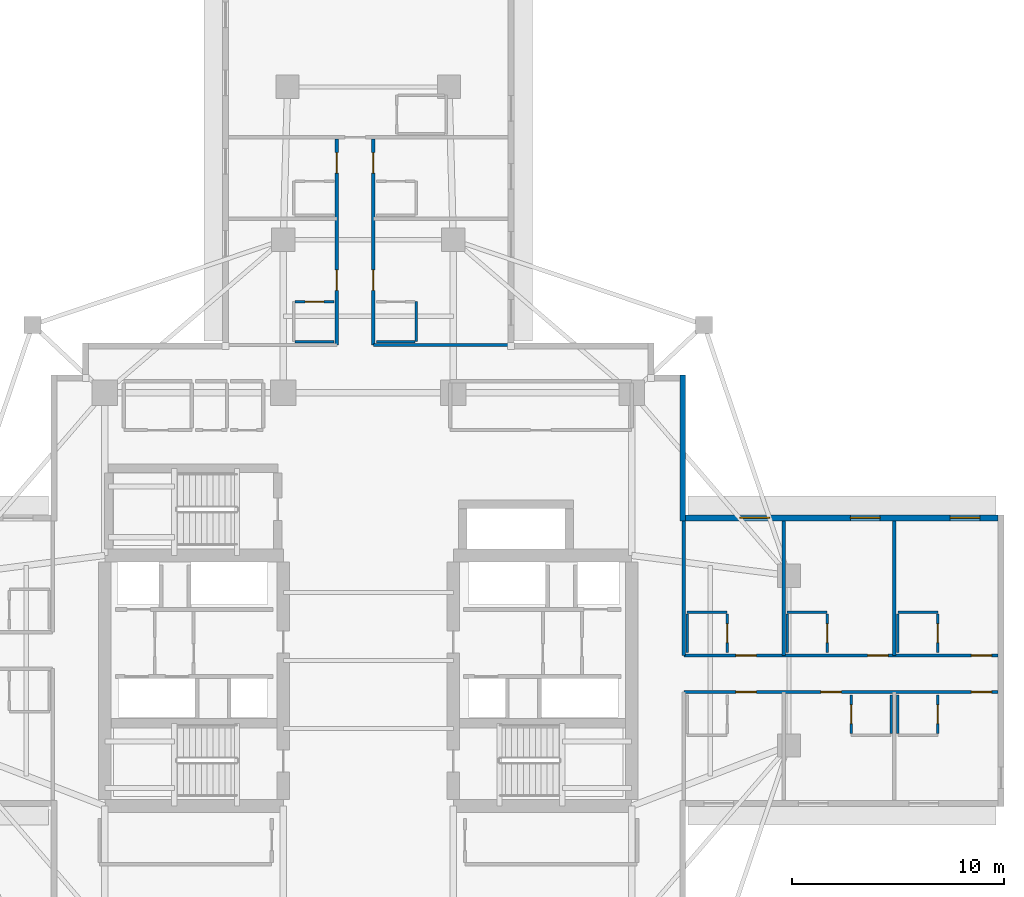
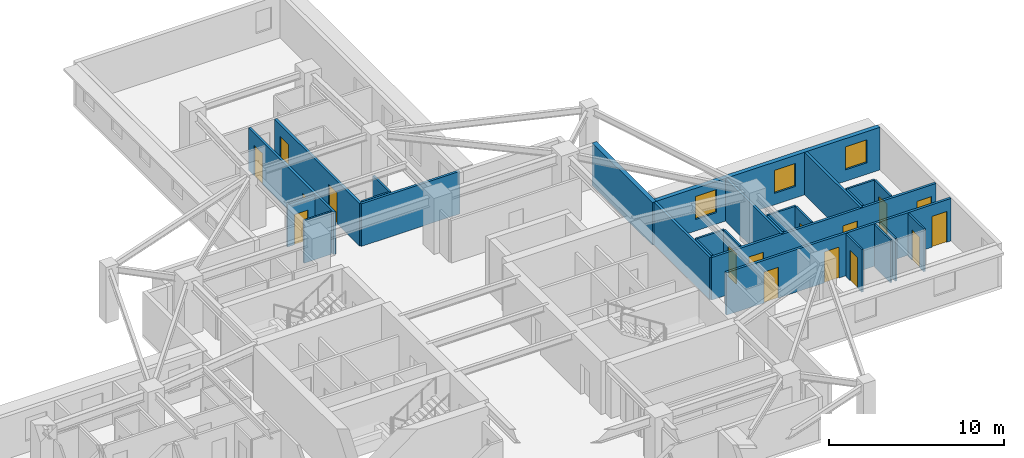
# One storey, part 7 of 13: 27 walls, 16 doors, 3 windows, 19 openings.
"""IFC4 building model written with IfcOpenShell, lengths in metres."""

from ifc_helpers import new_model, si_unit, direction, frame, frame_2d, origin, place, context, subcontext, project, spatial, rectangle, extrude, material, layer, layer_set, type_object, element, fill, save


model = new_model("IFC4")

# Units and contexts
model_context = context("Model", 3, precision=1e-05, world=origin(), true_north=direction((0.0, 1.0)))
body_context = subcontext(model_context, "Body", "Model", "MODEL_VIEW")
ifc_project = project(units=[si_unit("LENGTHUNIT", "METRE"), si_unit("AREAUNIT", "SQUARE_METRE"), si_unit("VOLUMEUNIT", "CUBIC_METRE"), si_unit("PLANEANGLEUNIT", "RADIAN"), si_unit("MASSUNIT", "GRAM", prefix="KILO")], contexts=[model_context])

# Site, building, storey
site_placement = place(None, origin())
site = spatial("IfcSite", under=ifc_project, at=site_placement, CompositionType="ELEMENT")
building_placement = place(site_placement, origin())
building = spatial("IfcBuilding", under=site, at=building_placement, Name="Qingluan Cross Belvedere", CompositionType="ELEMENT")
storey_placement = place(building_placement, frame((0.0, 0.0, 104.699951171875)))
storey = spatial("IfcBuildingStorey", under=building, at=storey_placement, Name="L26", CompositionType="ELEMENT", Elevation=104.699951171875)

# Wall, openings, doors
ifc_material_1 = material(Name="Gypsum plasterboard on steel stud acoustic partition", Category="steel")
ifc_layer_1 = layer(ifc_material_1, 0.159912109375, Name="CorridorPartition_160")
ifc_layer_set_1 = layer_set([ifc_layer_1], Name="Gypsum plasterboard on steel stud acoustic partition")
wall_type_1 = type_object("IfcWallType", Name="CorridorPartition_160", PredefinedType="PARTITIONING", material=ifc_layer_set_1)
wall_1_placement = place(storey_placement, frame((14.85009765625, 0.239990234375, 0.0), z_axis=(0.0, 0.0, 1.0), x_axis=(1.0, 0.0, 0.0)))
wall_1 = element("IfcWall", 1, at=wall_1_placement, inside=storey, type_object=wall_type_1, Name="Partition L26:E:c0", PredefinedType="PARTITIONING", context=body_context, shape_type="SweptSolid", body=[
    extrude(rectangle(XDim=14.781982421875, YDim=0.159912109375, at=frame_2d((7.39111328125, 0.0))), origin(), (0.0, 0.0, 1.0), 2.9599609375),
])
opening_1_placement = place(wall_1_placement, frame((2.449951171875, 0.0, 0.0)))
opening_1 = element("IfcOpeningElement", 2, at=opening_1_placement, cuts=wall_1, Name="Opening GD-10", PredefinedType="OPENING", context=body_context, shape_type="SweptSolid", body=[
    extrude(rectangle(XDim=0.9599609375, YDim=2.14990234375, at=frame_2d((0.47998046875, 1.074951171875))), frame((0.0, 0.08984375, 0.0), z_axis=(0.0, -1.0, 0.0), x_axis=(1.0, 0.0, 0.0)), (0.0, 0.0, 1.0), 0.179931640625),
])
opening_2_placement = place(wall_1_placement, frame((8.654052734375, 0.0, 0.0)))
opening_2 = element("IfcOpeningElement", 3, at=opening_2_placement, cuts=wall_1, Name="Opening GD-10", PredefinedType="OPENING", context=body_context, shape_type="SweptSolid", body=[
    extrude(rectangle(XDim=0.9599609375, YDim=2.14990234375, at=frame_2d((0.47998046875, 1.074951171875))), frame((0.0, 0.08984375, 0.0), z_axis=(0.0, -1.0, 0.0), x_axis=(1.0, 0.0, 0.0)), (0.0, 0.0, 1.0), 0.179931640625),
])
opening_3_placement = place(wall_1_placement, frame((13.530029296875, 0.0, 0.0)))
opening_3 = element("IfcOpeningElement", 4, at=opening_3_placement, cuts=wall_1, Name="Opening GD-10", PredefinedType="OPENING", context=body_context, shape_type="SweptSolid", body=[
    extrude(rectangle(XDim=0.9599609375, YDim=2.14990234375, at=frame_2d((0.47998046875, 1.074951171875))), frame((0.0, 0.08984375, 0.0), z_axis=(0.0, -1.0, 0.0), x_axis=(1.0, 0.0, 0.0)), (0.0, 0.0, 1.0), 0.179931640625),
])
ifc_material_2 = material(Name="Timber oak fire-rated acoustic guestroom door", Category="wood")
door_type_1 = type_object("IfcDoorType", Name="GuestEntryDoor_FD60", OperationType="NOTDEFINED", PredefinedType="DOOR", material=ifc_material_2)
door_1_placement = place(opening_1_placement, origin())
door_1 = element("IfcDoor", 5, at=door_1_placement, inside=storey, type_object=door_type_1, Name="Guest entry fire door 2601", OperationType="SINGLE_SWING_RIGHT", OverallHeight=2.14990234375, OverallWidth=0.9599609375, PredefinedType="DOOR", context=body_context, shape_type="SweptSolid", body=[
    extrude(rectangle(XDim=0.9599609375, YDim=2.14990234375, at=frame_2d((0.47998046875, 1.074951171875))), frame((0.0, 0.02490234375, 0.0), z_axis=(0.0, -1.0, 0.0), x_axis=(1.0, 0.0, 0.0)), (0.0, 0.0, 1.0), 0.050048828125),
])
fill(opening_1, door_1)
door_2_placement = place(opening_2_placement, origin())
door_2 = element("IfcDoor", 6, at=door_2_placement, inside=storey, type_object=door_type_1, Name="Guest entry fire door 2602", OperationType="SINGLE_SWING_RIGHT", OverallHeight=2.14990234375, OverallWidth=0.9599609375, PredefinedType="DOOR", context=body_context, shape_type="SweptSolid", body=[
    extrude(rectangle(XDim=0.9599609375, YDim=2.14990234375, at=frame_2d((0.47998046875, 1.074951171875))), frame((0.0, 0.02490234375, 0.0), z_axis=(0.0, -1.0, 0.0), x_axis=(1.0, 0.0, 0.0)), (0.0, 0.0, 1.0), 0.050048828125),
])
fill(opening_2, door_2)
door_3_placement = place(opening_3_placement, origin())
door_3 = element("IfcDoor", 7, at=door_3_placement, inside=storey, type_object=door_type_1, Name="Guest entry fire door 2603", OperationType="SINGLE_SWING_RIGHT", OverallHeight=2.14990234375, OverallWidth=0.9599609375, PredefinedType="DOOR", context=body_context, shape_type="SweptSolid", body=[
    extrude(rectangle(XDim=0.9599609375, YDim=2.14990234375, at=frame_2d((0.47998046875, 1.074951171875))), frame((0.0, 0.02490234375, 0.0), z_axis=(0.0, -1.0, 0.0), x_axis=(1.0, 0.0, 0.0)), (0.0, 0.0, 1.0), 0.050048828125),
])
fill(opening_3, door_3)

# Walls
for number, where, z_axis, x_axis, name in (
    (8, (14.85009765625, 0.239990234375, 0.0), (0.0, 0.0, 1.0), (0.0, 1.0, 0.0), "Partition L26:E:s0"),
    (9, (19.552978515625, 0.239990234375, 0.0), (0.0, 0.0, 1.0), (0.0, 1.0, 0.0), "Partition L26:E:d0_0"),
    (10, (24.763916015625, 0.239990234375, 0.0), (0.0, 0.0, 1.0), (0.0, 1.0, 0.0), "Partition L26:E:d0_1"),
):
    element("IfcWall", number, at=place(storey_placement, frame(where, z_axis=z_axis, x_axis=x_axis)), inside=storey, type_object=wall_type_1, Name=name, PredefinedType="PARTITIONING", context=body_context, shape_type="SweptSolid", body=[
        extrude(rectangle(XDim=6.33203125, YDim=0.159912109375, at=frame_2d((3.166015625, 0.0))), origin(), (0.0, 0.0, 1.0), 2.9599609375),
    ])

# Wall, openings, doors
wall_2_placement = place(storey_placement, frame((14.85009765625, -1.47998046875, 0.0), z_axis=(0.0, 0.0, 1.0), x_axis=(1.0, 0.0, 0.0)))
wall_2 = element("IfcWall", 11, at=wall_2_placement, inside=storey, type_object=wall_type_1, Name="Partition L26:E:c1", PredefinedType="PARTITIONING", context=body_context, shape_type="SweptSolid", body=[
    extrude(rectangle(XDim=14.781982421875, YDim=0.159912109375, at=frame_2d((7.39111328125, 0.0))), origin(), (0.0, 0.0, 1.0), 2.9599609375),
])
opening_4_placement = place(wall_2_placement, frame((2.449951171875, 0.0, 0.0)))
opening_4 = element("IfcOpeningElement", 12, at=opening_4_placement, cuts=wall_2, Name="Opening GD-10", PredefinedType="OPENING", context=body_context, shape_type="SweptSolid", body=[
    extrude(rectangle(XDim=0.9599609375, YDim=2.14990234375, at=frame_2d((0.47998046875, 1.074951171875))), frame((0.0, 0.08984375, 0.0), z_axis=(0.0, -1.0, 0.0), x_axis=(1.0, 0.0, 0.0)), (0.0, 0.0, 1.0), 0.179931640625),
])
opening_5_placement = place(wall_2_placement, frame((6.452880859375, 0.0, 0.0)))
opening_5 = element("IfcOpeningElement", 13, at=opening_5_placement, cuts=wall_2, Name="Opening GD-10", PredefinedType="OPENING", context=body_context, shape_type="SweptSolid", body=[
    extrude(rectangle(XDim=0.9599609375, YDim=2.14990234375, at=frame_2d((0.47998046875, 1.074951171875))), frame((0.0, 0.08984375, 0.0), z_axis=(0.0, -1.0, 0.0), x_axis=(1.0, 0.0, 0.0)), (0.0, 0.0, 1.0), 0.179931640625),
])
opening_6_placement = place(wall_2_placement, frame((13.530029296875, 0.0, 0.0)))
opening_6 = element("IfcOpeningElement", 14, at=opening_6_placement, cuts=wall_2, Name="Opening GD-10", PredefinedType="OPENING", context=body_context, shape_type="SweptSolid", body=[
    extrude(rectangle(XDim=0.9599609375, YDim=2.14990234375, at=frame_2d((0.47998046875, 1.074951171875))), frame((0.0, 0.08984375, 0.0), z_axis=(0.0, -1.0, 0.0), x_axis=(1.0, 0.0, 0.0)), (0.0, 0.0, 1.0), 0.179931640625),
])
door_4_placement = place(opening_4_placement, origin())
door_4 = element("IfcDoor", 15, at=door_4_placement, inside=storey, type_object=door_type_1, Name="Guest entry fire door 2604", OperationType="SINGLE_SWING_RIGHT", OverallHeight=2.14990234375, OverallWidth=0.9599609375, PredefinedType="DOOR", context=body_context, shape_type="SweptSolid", body=[
    extrude(rectangle(XDim=0.9599609375, YDim=2.14990234375, at=frame_2d((0.47998046875, 1.074951171875))), frame((0.0, 0.02490234375, 0.0), z_axis=(0.0, -1.0, 0.0), x_axis=(1.0, 0.0, 0.0)), (0.0, 0.0, 1.0), 0.050048828125),
])
fill(opening_4, door_4)
door_5_placement = place(opening_5_placement, origin())
door_5 = element("IfcDoor", 16, at=door_5_placement, inside=storey, type_object=door_type_1, Name="Guest entry fire door 2605", OperationType="SINGLE_SWING_RIGHT", OverallHeight=2.14990234375, OverallWidth=0.9599609375, PredefinedType="DOOR", context=body_context, shape_type="SweptSolid", body=[
    extrude(rectangle(XDim=0.9599609375, YDim=2.14990234375, at=frame_2d((0.47998046875, 1.074951171875))), frame((0.0, 0.02490234375, 0.0), z_axis=(0.0, -1.0, 0.0), x_axis=(1.0, 0.0, 0.0)), (0.0, 0.0, 1.0), 0.050048828125),
])
fill(opening_5, door_5)
door_6_placement = place(opening_6_placement, origin())
door_6 = element("IfcDoor", 17, at=door_6_placement, inside=storey, type_object=door_type_1, Name="Guest entry fire door 2606", OperationType="SINGLE_SWING_RIGHT", OverallHeight=2.14990234375, OverallWidth=0.9599609375, PredefinedType="DOOR", context=body_context, shape_type="SweptSolid", body=[
    extrude(rectangle(XDim=0.9599609375, YDim=2.14990234375, at=frame_2d((0.47998046875, 1.074951171875))), frame((0.0, 0.02490234375, 0.0), z_axis=(0.0, -1.0, 0.0), x_axis=(1.0, 0.0, 0.0)), (0.0, 0.0, 1.0), 0.050048828125),
])
fill(opening_6, door_6)

wall_3_placement = place(storey_placement, frame((0.239990234375, 14.85009765625, 0.0), z_axis=(0.0, 0.0, 1.0), x_axis=(0.0, 1.0, 0.0)))
wall_3 = element("IfcWall", 18, at=wall_3_placement, inside=storey, type_object=wall_type_1, Name="Partition L26:N:c0", PredefinedType="PARTITIONING", context=body_context, shape_type="SweptSolid", body=[
    extrude(rectangle(XDim=9.699951171875, YDim=0.159912109375, at=frame_2d((4.85009765625, 0.0))), origin(), (0.0, 0.0, 1.0), 2.9599609375),
])
opening_7_placement = place(wall_3_placement, frame((2.574951171875, 0.0, 0.0)))
opening_7 = element("IfcOpeningElement", 19, at=opening_7_placement, cuts=wall_3, Name="Opening GD-10", PredefinedType="OPENING", context=body_context, shape_type="SweptSolid", body=[
    extrude(rectangle(XDim=0.9599609375, YDim=2.14990234375, at=frame_2d((0.47998046875, 1.074951171875))), frame((0.0, 0.08984375, 0.0), z_axis=(0.0, -1.0, 0.0), x_axis=(1.0, 0.0, 0.0)), (0.0, 0.0, 1.0), 0.179931640625),
])
opening_8_placement = place(wall_3_placement, frame((8.096923828125, 0.0, 0.0)))
opening_8 = element("IfcOpeningElement", 20, at=opening_8_placement, cuts=wall_3, Name="Opening GD-10", PredefinedType="OPENING", context=body_context, shape_type="SweptSolid", body=[
    extrude(rectangle(XDim=0.9599609375, YDim=2.14990234375, at=frame_2d((0.47998046875, 1.074951171875))), frame((0.0, 0.08984375, 0.0), z_axis=(0.0, -1.0, 0.0), x_axis=(1.0, 0.0, 0.0)), (0.0, 0.0, 1.0), 0.179931640625),
])
door_7_placement = place(opening_7_placement, origin())
door_7 = element("IfcDoor", 21, at=door_7_placement, inside=storey, type_object=door_type_1, Name="Guest entry fire door 2611", OperationType="SINGLE_SWING_RIGHT", OverallHeight=2.14990234375, OverallWidth=0.9599609375, PredefinedType="DOOR", context=body_context, shape_type="SweptSolid", body=[
    extrude(rectangle(XDim=0.9599609375, YDim=2.14990234375, at=frame_2d((0.47998046875, 1.074951171875))), frame((0.0, 0.02490234375, 0.0), z_axis=(0.0, -1.0, 0.0), x_axis=(1.0, 0.0, 0.0)), (0.0, 0.0, 1.0), 0.050048828125),
])
fill(opening_7, door_7)
door_8_placement = place(opening_8_placement, origin())
door_8 = element("IfcDoor", 22, at=door_8_placement, inside=storey, type_object=door_type_1, Name="Guest entry fire door 2612", OperationType="SINGLE_SWING_RIGHT", OverallHeight=2.14990234375, OverallWidth=0.9599609375, PredefinedType="DOOR", context=body_context, shape_type="SweptSolid", body=[
    extrude(rectangle(XDim=0.9599609375, YDim=2.14990234375, at=frame_2d((0.47998046875, 1.074951171875))), frame((0.0, 0.02490234375, 0.0), z_axis=(0.0, -1.0, 0.0), x_axis=(1.0, 0.0, 0.0)), (0.0, 0.0, 1.0), 0.050048828125),
])
fill(opening_8, door_8)

# Wall
wall_4_placement = place(storey_placement, frame((0.239990234375, 14.85009765625, 0.0), z_axis=(0.0, 0.0, 1.0), x_axis=(1.0, 0.0, 0.0)))
element("IfcWall", 23, at=wall_4_placement, inside=storey, type_object=wall_type_1, Name="Partition L26:N:s0", PredefinedType="PARTITIONING", context=body_context, shape_type="SweptSolid", body=[
    extrude(rectangle(XDim=6.47998046875, YDim=0.159912109375, at=frame_2d((3.239990234375, 0.0))), origin(), (0.0, 0.0, 1.0), 2.9599609375),
])

# Wall, openings, doors
wall_5_placement = place(storey_placement, frame((-1.47998046875, 14.85009765625, 0.0), z_axis=(0.0, 0.0, 1.0), x_axis=(0.0, 1.0, 0.0)))
wall_5 = element("IfcWall", 24, at=wall_5_placement, inside=storey, type_object=wall_type_1, Name="Partition L26:N:c1", PredefinedType="PARTITIONING", context=body_context, shape_type="SweptSolid", body=[
    extrude(rectangle(XDim=9.699951171875, YDim=0.159912109375, at=frame_2d((4.85009765625, 0.0))), origin(), (0.0, 0.0, 1.0), 2.9599609375),
])
opening_9_placement = place(wall_5_placement, frame((2.574951171875, 0.0, 0.0)))
opening_9 = element("IfcOpeningElement", 25, at=opening_9_placement, cuts=wall_5, Name="Opening GD-10", PredefinedType="OPENING", context=body_context, shape_type="SweptSolid", body=[
    extrude(rectangle(XDim=0.9599609375, YDim=2.14990234375, at=frame_2d((0.47998046875, 1.074951171875))), frame((0.0, 0.08984375, 0.0), z_axis=(0.0, -1.0, 0.0), x_axis=(1.0, 0.0, 0.0)), (0.0, 0.0, 1.0), 0.179931640625),
])
opening_10_placement = place(wall_5_placement, frame((8.096923828125, 0.0, 0.0)))
opening_10 = element("IfcOpeningElement", 26, at=opening_10_placement, cuts=wall_5, Name="Opening GD-10", PredefinedType="OPENING", context=body_context, shape_type="SweptSolid", body=[
    extrude(rectangle(XDim=0.9599609375, YDim=2.14990234375, at=frame_2d((0.47998046875, 1.074951171875))), frame((0.0, 0.08984375, 0.0), z_axis=(0.0, -1.0, 0.0), x_axis=(1.0, 0.0, 0.0)), (0.0, 0.0, 1.0), 0.179931640625),
])
door_9_placement = place(opening_9_placement, origin())
door_9 = element("IfcDoor", 27, at=door_9_placement, inside=storey, type_object=door_type_1, Name="Guest entry fire door 2613", OperationType="SINGLE_SWING_RIGHT", OverallHeight=2.14990234375, OverallWidth=0.9599609375, PredefinedType="DOOR", context=body_context, shape_type="SweptSolid", body=[
    extrude(rectangle(XDim=0.9599609375, YDim=2.14990234375, at=frame_2d((0.47998046875, 1.074951171875))), frame((0.0, 0.02490234375, 0.0), z_axis=(0.0, -1.0, 0.0), x_axis=(1.0, 0.0, 0.0)), (0.0, 0.0, 1.0), 0.050048828125),
])
fill(opening_9, door_9)
door_10_placement = place(opening_10_placement, origin())
door_10 = element("IfcDoor", 28, at=door_10_placement, inside=storey, type_object=door_type_1, Name="Guest entry fire door 2614", OperationType="SINGLE_SWING_RIGHT", OverallHeight=2.14990234375, OverallWidth=0.9599609375, PredefinedType="DOOR", context=body_context, shape_type="SweptSolid", body=[
    extrude(rectangle(XDim=0.9599609375, YDim=2.14990234375, at=frame_2d((0.47998046875, 1.074951171875))), frame((0.0, 0.02490234375, 0.0), z_axis=(0.0, -1.0, 0.0), x_axis=(1.0, 0.0, 0.0)), (0.0, 0.0, 1.0), 0.050048828125),
])
fill(opening_10, door_10)

# Wall, opening, door
ifc_material_3 = material(Name="Moisture-resistant gypsum board lining")
ifc_layer_2 = layer(ifc_material_3, 0.1201171875, Name="EnsuiteWetPartition_120")
ifc_layer_set_2 = layer_set([ifc_layer_2], Name="Moisture-resistant gypsum board lining")
wall_type_2 = type_object("IfcWallType", Name="EnsuiteWetPartition_120", PredefinedType="PARTITIONING", material=ifc_layer_set_2)
wall_6_placement = place(storey_placement, frame((16.889892578125, 0.3798828125, 0.0), z_axis=(0.0, 0.0, 1.0), x_axis=(0.0, 1.0, 0.0)))
wall_6 = element("IfcWall", 29, at=wall_6_placement, inside=storey, type_object=wall_type_2, Name="Partition L26:E:bs0_0", PredefinedType="PARTITIONING", context=body_context, shape_type="SweptSolid", body=[
    extrude(rectangle(XDim=1.820068359375, YDim=0.1201171875, at=frame_2d((0.91015625, 0.0))), origin(), (0.0, 0.0, 1.0), 2.9599609375),
])
opening_11_placement = place(wall_6_placement, frame((0.469970703125, 0.0, 0.0)))
opening_11 = element("IfcOpeningElement", 30, at=opening_11_placement, cuts=wall_6, Name="Opening BD-09", PredefinedType="OPENING", context=body_context, shape_type="SweptSolid", body=[
    extrude(rectangle(XDim=0.8798828125, YDim=2.10009765625, at=frame_2d((0.43994140625, 1.050048828125))), frame((0.0, 0.070068359375, 0.0), z_axis=(0.0, -1.0, 0.0), x_axis=(1.0, 0.0, 0.0)), (0.0, 0.0, 1.0), 0.14013671875),
])
ifc_material_4 = material(Name="Moisture-sealed timber en-suite door", Category="wood")
door_type_2 = type_object("IfcDoorType", Name="BathroomDoor_880", OperationType="NOTDEFINED", PredefinedType="DOOR", material=ifc_material_4)
door_11_placement = place(opening_11_placement, origin())
door_11 = element("IfcDoor", 31, at=door_11_placement, inside=storey, type_object=door_type_2, Name="Bathroom door 2601", OperationType="SINGLE_SWING_LEFT", OverallHeight=2.10009765625, OverallWidth=0.8798828125, PredefinedType="DOOR", context=body_context, shape_type="SweptSolid", body=[
    extrude(rectangle(XDim=0.8798828125, YDim=2.10009765625, at=frame_2d((0.43994140625, 1.050048828125))), frame((0.0, 0.02490234375, 0.0), z_axis=(0.0, -1.0, 0.0), x_axis=(1.0, 0.0, 0.0)), (0.0, 0.0, 1.0), 0.050048828125),
])
fill(opening_11, door_11)

# Walls
wall_7_placement = place(storey_placement, frame((15.010009765625, 0.3798828125, 0.0), z_axis=(0.0, 0.0, 1.0), x_axis=(0.0, 1.0, 0.0)))
element("IfcWall", 32, at=wall_7_placement, inside=storey, type_object=wall_type_2, Name="Partition L26:E:bw0_0", PredefinedType="PARTITIONING", context=body_context, shape_type="SweptSolid", body=[
    extrude(rectangle(XDim=1.820068359375, YDim=0.1201171875, at=frame_2d((0.91015625, 0.0))), origin(), (0.0, 0.0, 1.0), 2.9599609375),
])
wall_8_placement = place(storey_placement, frame((15.010009765625, 2.264892578125, 0.0), z_axis=(0.0, 0.0, 1.0), x_axis=(1.0, 0.0, 0.0)))
element("IfcWall", 33, at=wall_8_placement, inside=storey, type_object=wall_type_2, Name="Partition L26:E:bn0_0", PredefinedType="PARTITIONING", context=body_context, shape_type="SweptSolid", body=[
    extrude(rectangle(XDim=1.8798828125, YDim=0.1201171875, at=frame_2d((0.93994140625, 0.0))), origin(), (0.0, 0.0, 1.0), 2.9599609375),
])

# Wall, opening, door
wall_9_placement = place(storey_placement, frame((21.593017578125, 0.3798828125, 0.0), z_axis=(0.0, 0.0, 1.0), x_axis=(0.0, 1.0, 0.0)))
wall_9 = element("IfcWall", 34, at=wall_9_placement, inside=storey, type_object=wall_type_2, Name="Partition L26:E:bs0_1", PredefinedType="PARTITIONING", context=body_context, shape_type="SweptSolid", body=[
    extrude(rectangle(XDim=1.820068359375, YDim=0.1201171875, at=frame_2d((0.91015625, 0.0))), origin(), (0.0, 0.0, 1.0), 2.9599609375),
])
opening_12_placement = place(wall_9_placement, frame((0.469970703125, 0.0, 0.0)))
opening_12 = element("IfcOpeningElement", 35, at=opening_12_placement, cuts=wall_9, Name="Opening BD-09", PredefinedType="OPENING", context=body_context, shape_type="SweptSolid", body=[
    extrude(rectangle(XDim=0.8798828125, YDim=2.10009765625, at=frame_2d((0.43994140625, 1.050048828125))), frame((0.0, 0.070068359375, 0.0), z_axis=(0.0, -1.0, 0.0), x_axis=(1.0, 0.0, 0.0)), (0.0, 0.0, 1.0), 0.14013671875),
])
door_12_placement = place(opening_12_placement, origin())
door_12 = element("IfcDoor", 36, at=door_12_placement, inside=storey, type_object=door_type_2, Name="Bathroom door 2602", OperationType="SINGLE_SWING_LEFT", OverallHeight=2.10009765625, OverallWidth=0.8798828125, PredefinedType="DOOR", context=body_context, shape_type="SweptSolid", body=[
    extrude(rectangle(XDim=0.8798828125, YDim=2.10009765625, at=frame_2d((0.43994140625, 1.050048828125))), frame((0.0, 0.02490234375, 0.0), z_axis=(0.0, -1.0, 0.0), x_axis=(1.0, 0.0, 0.0)), (0.0, 0.0, 1.0), 0.050048828125),
])
fill(opening_12, door_12)

# Walls
wall_10_placement = place(storey_placement, frame((19.712890625, 0.3798828125, 0.0), z_axis=(0.0, 0.0, 1.0), x_axis=(0.0, 1.0, 0.0)))
element("IfcWall", 37, at=wall_10_placement, inside=storey, type_object=wall_type_2, Name="Partition L26:E:bw0_1", PredefinedType="PARTITIONING", context=body_context, shape_type="SweptSolid", body=[
    extrude(rectangle(XDim=1.820068359375, YDim=0.1201171875, at=frame_2d((0.91015625, 0.0))), origin(), (0.0, 0.0, 1.0), 2.9599609375),
])
wall_11_placement = place(storey_placement, frame((19.712890625, 2.264892578125, 0.0), z_axis=(0.0, 0.0, 1.0), x_axis=(1.0, 0.0, 0.0)))
element("IfcWall", 38, at=wall_11_placement, inside=storey, type_object=wall_type_2, Name="Partition L26:E:bn0_1", PredefinedType="PARTITIONING", context=body_context, shape_type="SweptSolid", body=[
    extrude(rectangle(XDim=1.880126953125, YDim=0.1201171875, at=frame_2d((0.93994140625, 0.0))), origin(), (0.0, 0.0, 1.0), 2.9599609375),
])

# Wall, opening, door
wall_12_placement = place(storey_placement, frame((26.803955078125, 0.3798828125, 0.0), z_axis=(0.0, 0.0, 1.0), x_axis=(0.0, 1.0, 0.0)))
wall_12 = element("IfcWall", 39, at=wall_12_placement, inside=storey, type_object=wall_type_2, Name="Partition L26:E:bs0_2", PredefinedType="PARTITIONING", context=body_context, shape_type="SweptSolid", body=[
    extrude(rectangle(XDim=1.820068359375, YDim=0.1201171875, at=frame_2d((0.91015625, 0.0))), origin(), (0.0, 0.0, 1.0), 2.9599609375),
])
opening_13_placement = place(wall_12_placement, frame((0.469970703125, 0.0, 0.0)))
opening_13 = element("IfcOpeningElement", 40, at=opening_13_placement, cuts=wall_12, Name="Opening BD-09", PredefinedType="OPENING", context=body_context, shape_type="SweptSolid", body=[
    extrude(rectangle(XDim=0.8798828125, YDim=2.10009765625, at=frame_2d((0.43994140625, 1.050048828125))), frame((0.0, 0.070068359375, 0.0), z_axis=(0.0, -1.0, 0.0), x_axis=(1.0, 0.0, 0.0)), (0.0, 0.0, 1.0), 0.14013671875),
])
door_13_placement = place(opening_13_placement, origin())
door_13 = element("IfcDoor", 41, at=door_13_placement, inside=storey, type_object=door_type_2, Name="Bathroom door 2603", OperationType="SINGLE_SWING_LEFT", OverallHeight=2.10009765625, OverallWidth=0.8798828125, PredefinedType="DOOR", context=body_context, shape_type="SweptSolid", body=[
    extrude(rectangle(XDim=0.8798828125, YDim=2.10009765625, at=frame_2d((0.43994140625, 1.050048828125))), frame((0.0, 0.02490234375, 0.0), z_axis=(0.0, -1.0, 0.0), x_axis=(1.0, 0.0, 0.0)), (0.0, 0.0, 1.0), 0.050048828125),
])
fill(opening_13, door_13)

# Walls
wall_13_placement = place(storey_placement, frame((24.924072265625, 0.3798828125, 0.0), z_axis=(0.0, 0.0, 1.0), x_axis=(0.0, 1.0, 0.0)))
element("IfcWall", 42, at=wall_13_placement, inside=storey, type_object=wall_type_2, Name="Partition L26:E:bw0_2", PredefinedType="PARTITIONING", context=body_context, shape_type="SweptSolid", body=[
    extrude(rectangle(XDim=1.820068359375, YDim=0.1201171875, at=frame_2d((0.91015625, 0.0))), origin(), (0.0, 0.0, 1.0), 2.9599609375),
])
wall_14_placement = place(storey_placement, frame((24.924072265625, 2.264892578125, 0.0), z_axis=(0.0, 0.0, 1.0), x_axis=(1.0, 0.0, 0.0)))
element("IfcWall", 43, at=wall_14_placement, inside=storey, type_object=wall_type_2, Name="Partition L26:E:bn0_2", PredefinedType="PARTITIONING", context=body_context, shape_type="SweptSolid", body=[
    extrude(rectangle(XDim=1.8798828125, YDim=0.1201171875, at=frame_2d((0.93994140625, 0.0))), origin(), (0.0, 0.0, 1.0), 2.9599609375),
])

# Wall, opening, door
wall_15_placement = place(storey_placement, frame((22.72412109375, -3.43994140625, 0.0), z_axis=(0.0, 0.0, 1.0), x_axis=(0.0, 1.0, 0.0)))
wall_15 = element("IfcWall", 44, at=wall_15_placement, inside=storey, type_object=wall_type_2, Name="Partition L26:E:bs1_1", PredefinedType="PARTITIONING", context=body_context, shape_type="SweptSolid", body=[
    extrude(rectangle(XDim=1.81982421875, YDim=0.1201171875, at=frame_2d((0.909912109375, 0.0))), origin(), (0.0, 0.0, 1.0), 2.9599609375),
])
opening_14_placement = place(wall_15_placement, frame((0.469970703125, 0.0, 0.0)))
opening_14 = element("IfcOpeningElement", 45, at=opening_14_placement, cuts=wall_15, Name="Opening BD-09", PredefinedType="OPENING", context=body_context, shape_type="SweptSolid", body=[
    extrude(rectangle(XDim=0.8798828125, YDim=2.10009765625, at=frame_2d((0.43994140625, 1.050048828125))), frame((0.0, 0.070068359375, 0.0), z_axis=(0.0, -1.0, 0.0), x_axis=(1.0, 0.0, 0.0)), (0.0, 0.0, 1.0), 0.14013671875),
])
door_14_placement = place(opening_14_placement, origin())
door_14 = element("IfcDoor", 46, at=door_14_placement, inside=storey, type_object=door_type_2, Name="Bathroom door 2605", OperationType="SINGLE_SWING_LEFT", OverallHeight=2.10009765625, OverallWidth=0.8798828125, PredefinedType="DOOR", context=body_context, shape_type="SweptSolid", body=[
    extrude(rectangle(XDim=0.8798828125, YDim=2.10009765625, at=frame_2d((0.43994140625, 1.050048828125))), frame((0.0, 0.02490234375, 0.0), z_axis=(0.0, -1.0, 0.0), x_axis=(1.0, 0.0, 0.0)), (0.0, 0.0, 1.0), 0.050048828125),
])
fill(opening_14, door_14)

# Wall
wall_16_placement = place(storey_placement, frame((24.60400390625, -3.43994140625, 0.0), z_axis=(0.0, 0.0, 1.0), x_axis=(0.0, 1.0, 0.0)))
element("IfcWall", 47, at=wall_16_placement, inside=storey, type_object=wall_type_2, Name="Partition L26:E:bw1_1", PredefinedType="PARTITIONING", context=body_context, shape_type="SweptSolid", body=[
    extrude(rectangle(XDim=1.81982421875, YDim=0.1201171875, at=frame_2d((0.909912109375, 0.0))), origin(), (0.0, 0.0, 1.0), 2.9599609375),
])

# Wall, opening, door
wall_17_placement = place(storey_placement, frame((26.803955078125, -3.43994140625, 0.0), z_axis=(0.0, 0.0, 1.0), x_axis=(0.0, 1.0, 0.0)))
wall_17 = element("IfcWall", 48, at=wall_17_placement, inside=storey, type_object=wall_type_2, Name="Partition L26:E:bs1_2", PredefinedType="PARTITIONING", context=body_context, shape_type="SweptSolid", body=[
    extrude(rectangle(XDim=1.81982421875, YDim=0.1201171875, at=frame_2d((0.909912109375, 0.0))), origin(), (0.0, 0.0, 1.0), 2.9599609375),
])
opening_15_placement = place(wall_17_placement, frame((0.469970703125, 0.0, 0.0)))
opening_15 = element("IfcOpeningElement", 49, at=opening_15_placement, cuts=wall_17, Name="Opening BD-09", PredefinedType="OPENING", context=body_context, shape_type="SweptSolid", body=[
    extrude(rectangle(XDim=0.8798828125, YDim=2.10009765625, at=frame_2d((0.43994140625, 1.050048828125))), frame((0.0, 0.070068359375, 0.0), z_axis=(0.0, -1.0, 0.0), x_axis=(1.0, 0.0, 0.0)), (0.0, 0.0, 1.0), 0.14013671875),
])
door_15_placement = place(opening_15_placement, origin())
door_15 = element("IfcDoor", 50, at=door_15_placement, inside=storey, type_object=door_type_2, Name="Bathroom door 2606", OperationType="SINGLE_SWING_LEFT", OverallHeight=2.10009765625, OverallWidth=0.8798828125, PredefinedType="DOOR", context=body_context, shape_type="SweptSolid", body=[
    extrude(rectangle(XDim=0.8798828125, YDim=2.10009765625, at=frame_2d((0.43994140625, 1.050048828125))), frame((0.0, 0.02490234375, 0.0), z_axis=(0.0, -1.0, 0.0), x_axis=(1.0, 0.0, 0.0)), (0.0, 0.0, 1.0), 0.050048828125),
])
fill(opening_15, door_15)

# Walls
wall_18_placement = place(storey_placement, frame((24.924072265625, -3.43994140625, 0.0), z_axis=(0.0, 0.0, 1.0), x_axis=(0.0, 1.0, 0.0)))
element("IfcWall", 51, at=wall_18_placement, inside=storey, type_object=wall_type_2, Name="Partition L26:E:bw1_2", PredefinedType="PARTITIONING", context=body_context, shape_type="SweptSolid", body=[
    extrude(rectangle(XDim=1.81982421875, YDim=0.1201171875, at=frame_2d((0.909912109375, 0.0))), origin(), (0.0, 0.0, 1.0), 2.9599609375),
])
wall_19_placement = place(storey_placement, frame((0.3798828125, 15.010009765625, 0.0), z_axis=(0.0, 0.0, 1.0), x_axis=(1.0, 0.0, 0.0)))
element("IfcWall", 52, at=wall_19_placement, inside=storey, type_object=wall_type_2, Name="Partition L26:N:bw0_0", PredefinedType="PARTITIONING", context=body_context, shape_type="SweptSolid", body=[
    extrude(rectangle(XDim=1.820068359375, YDim=0.1201171875, at=frame_2d((0.91015625, 0.0))), origin(), (0.0, 0.0, 1.0), 2.9599609375),
])
wall_20_placement = place(storey_placement, frame((2.264892578125, 15.010009765625, 0.0), z_axis=(0.0, 0.0, 1.0), x_axis=(0.0, 1.0, 0.0)))
element("IfcWall", 53, at=wall_20_placement, inside=storey, type_object=wall_type_2, Name="Partition L26:N:bn0_0", PredefinedType="PARTITIONING", context=body_context, shape_type="SweptSolid", body=[
    extrude(rectangle(XDim=1.8798828125, YDim=0.1201171875, at=frame_2d((0.93994140625, 0.0))), origin(), (0.0, 0.0, 1.0), 2.9599609375),
])

# Wall, opening, door
wall_21_placement = place(storey_placement, frame((-3.43994140625, 16.889892578125, 0.0), z_axis=(0.0, 0.0, 1.0), x_axis=(1.0, 0.0, 0.0)))
wall_21 = element("IfcWall", 54, at=wall_21_placement, inside=storey, type_object=wall_type_2, Name="Partition L26:N:bs1_0", PredefinedType="PARTITIONING", context=body_context, shape_type="SweptSolid", body=[
    extrude(rectangle(XDim=1.81982421875, YDim=0.1201171875, at=frame_2d((0.909912109375, 0.0))), origin(), (0.0, 0.0, 1.0), 2.9599609375),
])
opening_16_placement = place(wall_21_placement, frame((0.469970703125, 0.0, 0.0)))
opening_16 = element("IfcOpeningElement", 55, at=opening_16_placement, cuts=wall_21, Name="Opening BD-09", PredefinedType="OPENING", context=body_context, shape_type="SweptSolid", body=[
    extrude(rectangle(XDim=0.8798828125, YDim=2.10009765625, at=frame_2d((0.43994140625, 1.050048828125))), frame((0.0, 0.070068359375, 0.0), z_axis=(0.0, -1.0, 0.0), x_axis=(1.0, 0.0, 0.0)), (0.0, 0.0, 1.0), 0.14013671875),
])
door_16_placement = place(opening_16_placement, origin())
door_16 = element("IfcDoor", 56, at=door_16_placement, inside=storey, type_object=door_type_2, Name="Bathroom door 2613", OperationType="SINGLE_SWING_LEFT", OverallHeight=2.10009765625, OverallWidth=0.8798828125, PredefinedType="DOOR", context=body_context, shape_type="SweptSolid", body=[
    extrude(rectangle(XDim=0.8798828125, YDim=2.10009765625, at=frame_2d((0.43994140625, 1.050048828125))), frame((0.0, 0.02490234375, 0.0), z_axis=(0.0, -1.0, 0.0), x_axis=(1.0, 0.0, 0.0)), (0.0, 0.0, 1.0), 0.050048828125),
])
fill(opening_16, door_16)

# Wall
wall_22_placement = place(storey_placement, frame((-3.43994140625, 15.010009765625, 0.0), z_axis=(0.0, 0.0, 1.0), x_axis=(1.0, 0.0, 0.0)))
element("IfcWall", 57, at=wall_22_placement, inside=storey, type_object=wall_type_2, Name="Partition L26:N:bw1_0", PredefinedType="PARTITIONING", context=body_context, shape_type="SweptSolid", body=[
    extrude(rectangle(XDim=1.81982421875, YDim=0.1201171875, at=frame_2d((0.909912109375, 0.0))), origin(), (0.0, 0.0, 1.0), 2.9599609375),
])

# Wall, openings, windows
ifc_material_5 = material(Name="Precast concrete C45", Category="concrete")
ifc_layer_3 = layer(ifc_material_5, 0.280029296875, Name="PrecastFacadeWall_280")
ifc_layer_set_3 = layer_set([ifc_layer_3], Name="Precast concrete C45")
wall_type_3 = type_object("IfcWallType", Name="PrecastFacadeWall_280", PredefinedType="STANDARD", material=ifc_layer_set_3)
wall_23_placement = place(storey_placement, frame((29.639892578125, 6.719970703125, 0.0), z_axis=(0.0, 0.0, 1.0), x_axis=(-1.0, 0.0, 0.0)))
wall_23 = element("IfcWall", 58, at=wall_23_placement, inside=storey, type_object=wall_type_3, Name="Facade wall L26-EB", PredefinedType="STANDARD", context=body_context, shape_type="SweptSolid", body=[
    extrude(rectangle(XDim=14.699951171875, YDim=0.280029296875, at=frame_2d((7.35009765625, 0.0))), origin(), (0.0, 0.0, 1.0), 2.969970703125),
])
opening_17_placement = place(wall_23_placement, frame((0.85009765625, 0.0, 0.800048828125)))
opening_17 = element("IfcOpeningElement", 59, at=opening_17_placement, cuts=wall_23, Name="Opening W-01", PredefinedType="OPENING", context=body_context, shape_type="SweptSolid", body=[
    extrude(rectangle(XDim=1.39990234375, YDim=1.60009765625, at=frame_2d((0.699951171875, 0.800048828125))), frame((0.0, 0.14990234375, 0.0), z_axis=(0.0, -1.0, 0.0), x_axis=(1.0, 0.0, 0.0)), (0.0, 0.0, 1.0), 0.300048828125),
])
opening_18_placement = place(wall_23_placement, frame((5.550048828125, 0.0, 0.800048828125)))
opening_18 = element("IfcOpeningElement", 60, at=opening_18_placement, cuts=wall_23, Name="Opening W-01", PredefinedType="OPENING", context=body_context, shape_type="SweptSolid", body=[
    extrude(rectangle(XDim=1.39990234375, YDim=1.60009765625, at=frame_2d((0.699951171875, 0.800048828125))), frame((0.0, 0.14990234375, 0.0), z_axis=(0.0, -1.0, 0.0), x_axis=(1.0, 0.0, 0.0)), (0.0, 0.0, 1.0), 0.300048828125),
])
opening_19_placement = place(wall_23_placement, frame((10.75, 0.0, 0.800048828125)))
opening_19 = element("IfcOpeningElement", 61, at=opening_19_placement, cuts=wall_23, Name="Opening W-01", PredefinedType="OPENING", context=body_context, shape_type="SweptSolid", body=[
    extrude(rectangle(XDim=1.39990234375, YDim=1.60009765625, at=frame_2d((0.699951171875, 0.800048828125))), frame((0.0, 0.14990234375, 0.0), z_axis=(0.0, -1.0, 0.0), x_axis=(1.0, 0.0, 0.0)), (0.0, 0.0, 1.0), 0.300048828125),
])
ifc_material_6 = material(Name="Thermally broken triple Low-E glass in aluminium frame", Category="aluminium")
window_type = type_object("IfcWindowType", Name="TriRibbonWin_1400x1600", PartitioningType="SINGLE_PANEL", PredefinedType="WINDOW", material=ifc_material_6)
window_1_placement = place(opening_17_placement, origin())
window_1 = element("IfcWindow", 62, at=window_1_placement, inside=storey, type_object=window_type, Name="Ribbon window L26-EB-1", OverallHeight=1.60009765625, OverallWidth=1.39990234375, PartitioningType="SINGLE_PANEL", PredefinedType="WINDOW", context=body_context, shape_type="SweptSolid", body=[
    extrude(rectangle(XDim=1.39990234375, YDim=1.60009765625, at=frame_2d((0.699951171875, 0.800048828125))), frame((0.0, 0.030029296875, 0.0), z_axis=(0.0, -1.0, 0.0), x_axis=(1.0, 0.0, 0.0)), (0.0, 0.0, 1.0), 0.06005859375),
])
fill(opening_17, window_1)
window_2_placement = place(opening_18_placement, origin())
window_2 = element("IfcWindow", 63, at=window_2_placement, inside=storey, type_object=window_type, Name="Ribbon window L26-EB-2", OverallHeight=1.60009765625, OverallWidth=1.39990234375, PartitioningType="SINGLE_PANEL", PredefinedType="WINDOW", context=body_context, shape_type="SweptSolid", body=[
    extrude(rectangle(XDim=1.39990234375, YDim=1.60009765625, at=frame_2d((0.699951171875, 0.800048828125))), frame((0.0, 0.030029296875, 0.0), z_axis=(0.0, -1.0, 0.0), x_axis=(1.0, 0.0, 0.0)), (0.0, 0.0, 1.0), 0.06005859375),
])
fill(opening_18, window_2)
window_3_placement = place(opening_19_placement, origin())
window_3 = element("IfcWindow", 64, at=window_3_placement, inside=storey, type_object=window_type, Name="Ribbon window L26-EB-3", OverallHeight=1.60009765625, OverallWidth=1.39990234375, PartitioningType="SINGLE_PANEL", PredefinedType="WINDOW", context=body_context, shape_type="SweptSolid", body=[
    extrude(rectangle(XDim=1.39990234375, YDim=1.60009765625, at=frame_2d((0.699951171875, 0.800048828125))), frame((0.0, 0.030029296875, 0.0), z_axis=(0.0, -1.0, 0.0), x_axis=(1.0, 0.0, 0.0)), (0.0, 0.0, 1.0), 0.06005859375),
])
fill(opening_19, window_3)

# Wall
wall_24_placement = place(storey_placement, frame((14.800048828125, 6.580078125, 0.0), z_axis=(0.0, 0.0, 1.0), x_axis=(0.0, 1.0, 0.0)))
element("IfcWall", 65, at=wall_24_placement, inside=storey, type_object=wall_type_3, Name="Corner wall L26-NE1", PredefinedType="STANDARD", context=body_context, shape_type="SweptSolid", body=[
    extrude(rectangle(XDim=6.85986328125, YDim=0.280029296875, at=frame_2d((3.429931640625, 0.0))), origin(), (0.0, 0.0, 1.0), 2.969970703125),
])

save(model, "model.ifc")
